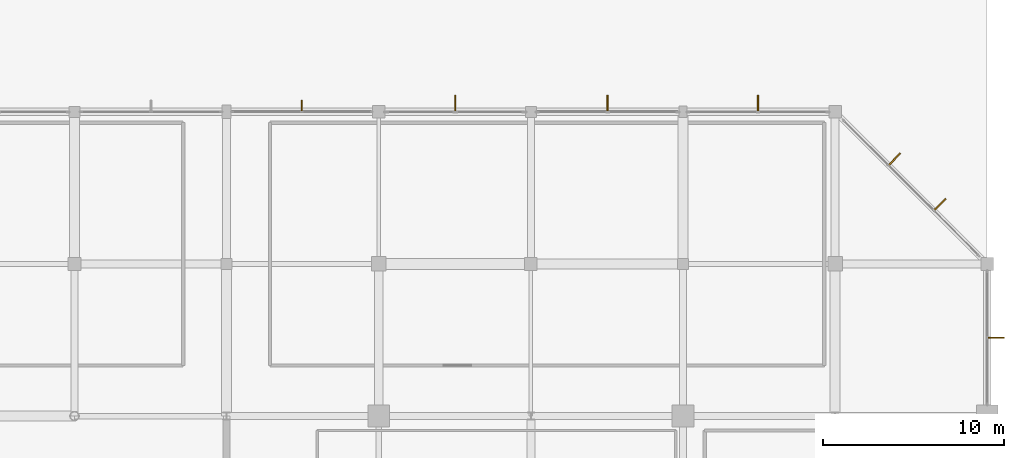
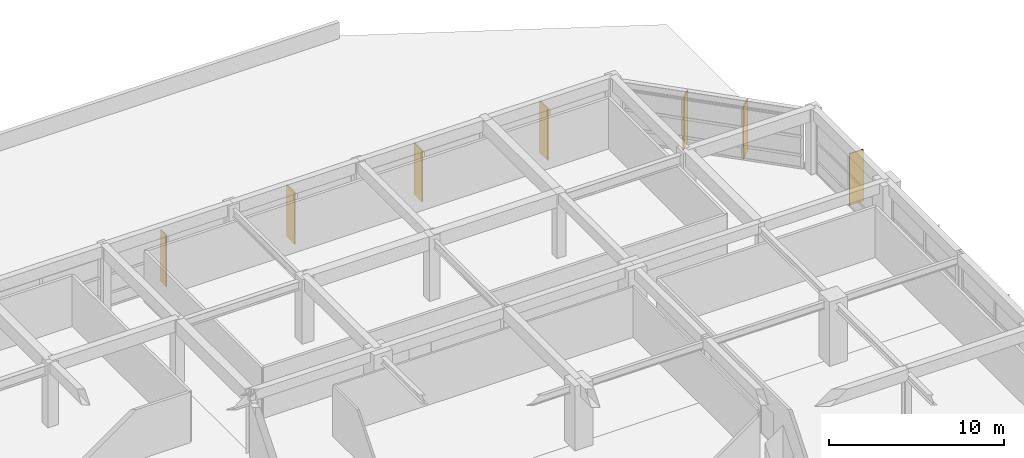
# One storey, part 60 of 60: 7 shading devices.
"""IFC4 building model written with IfcOpenShell, lengths in metres."""

from ifc_helpers import new_model, si_unit, direction, frame, origin, origin_2d, place, context, subcontext, project, spatial, rectangle, extrude, material, type_object, element, save


model = new_model("IFC4")

# Units and contexts
model_context = context("Model", 3, precision=1e-05, world=origin(), true_north=direction((0.0, 1.0)))
body_context = subcontext(model_context, "Body", "Model", "MODEL_VIEW")
ifc_project = project(units=[si_unit("LENGTHUNIT", "METRE"), si_unit("AREAUNIT", "SQUARE_METRE"), si_unit("VOLUMEUNIT", "CUBIC_METRE"), si_unit("PLANEANGLEUNIT", "RADIAN"), si_unit("MASSUNIT", "GRAM", prefix="KILO")], contexts=[model_context])

# Site, building, storey
site_placement = place(None, origin())
site = spatial("IfcSite", under=ifc_project, at=site_placement, CompositionType="ELEMENT")
building_placement = place(site_placement, origin())
building = spatial("IfcBuilding", under=site, at=building_placement, Name="Xuanlan Plaza Opera House", CompositionType="ELEMENT")
storey_placement = place(building_placement, frame((0.0, 0.0, 9.89990234375)))
storey = spatial("IfcBuildingStorey", under=building, at=storey_placement, Name="L02", CompositionType="ELEMENT", Elevation=9.89990234375)

# Shading devices
ifc_material = material(Name="Anodised Aluminium 6063-T6", Category="aluminium")
shading_device_type_1 = type_object("IfcShadingDeviceType", Name="ENV-SHD-BRS01", PredefinedType="JALOUSIE", material=ifc_material)
shading_device_placement = place(storey_placement, frame((130.14990234375, 101.125, 0.0400390625), z_axis=(0.0, 0.0, 1.0), x_axis=(0.0, 1.0, 0.0)))
element("IfcShadingDevice", 1, at=shading_device_placement, inside=storey, type_object=shading_device_type_1, Name="Parametric Sunshade Fin L02-0130", PredefinedType="JALOUSIE", context=body_context, shape_type="SweptSolid", body=[
    extrude(rectangle(XDim=0.639892578125, YDim=0.070068359375, at=origin_2d()), origin(), (0.0, 0.0, 1.0), 3.60009765625),
])
shading_device_type_2 = type_object("IfcShadingDeviceType", Name="ENV-SHD-BRS02", PredefinedType="JALOUSIE", material=ifc_material)
for number, where, z_axis, x_axis, name in (
    (2, (168.465087890625, 88.324951171875, 0.0400390625), (0.0, 0.0, 1.0), (1.0, 0.0, 0.0), "Parametric Sunshade Fin L02-0124"),
    (3, (165.379150390625, 95.678466796875, 0.0400390625), (0.0, 0.0, 1.0), (0.707106781187, 0.707106781187, 0.0), "Parametric Sunshade Fin L02-0125"),
    (4, (162.87841796875, 98.17919921875, 0.0400390625), (0.0, 0.0, 1.0), (0.707106781187, 0.707106781187, 0.0), "Parametric Sunshade Fin L02-0126"),
    (5, (155.33740234375, 101.264892578125, 0.0400390625), (0.0, 0.0, 1.0), (0.0, 1.0, 0.0), "Parametric Sunshade Fin L02-0127"),
    (6, (147.03759765625, 101.264892578125, 0.0400390625), (0.0, 0.0, 1.0), (0.0, 1.0, 0.0), "Parametric Sunshade Fin L02-0128"),
    (7, (138.625, 101.264892578125, 0.0400390625), (0.0, 0.0, 1.0), (0.0, 1.0, 0.0), "Parametric Sunshade Fin L02-0129"),
):
    element("IfcShadingDevice", number, at=place(storey_placement, frame(where, z_axis=z_axis, x_axis=x_axis)), inside=storey, type_object=shading_device_type_2, Name=name, PredefinedType="JALOUSIE", context=body_context, shape_type="SweptSolid", body=[
        extrude(rectangle(XDim=0.919921875, YDim=0.080078125, at=origin_2d()), origin(), (0.0, 0.0, 1.0), 3.60009765625),
    ])

save(model, "model.ifc")
